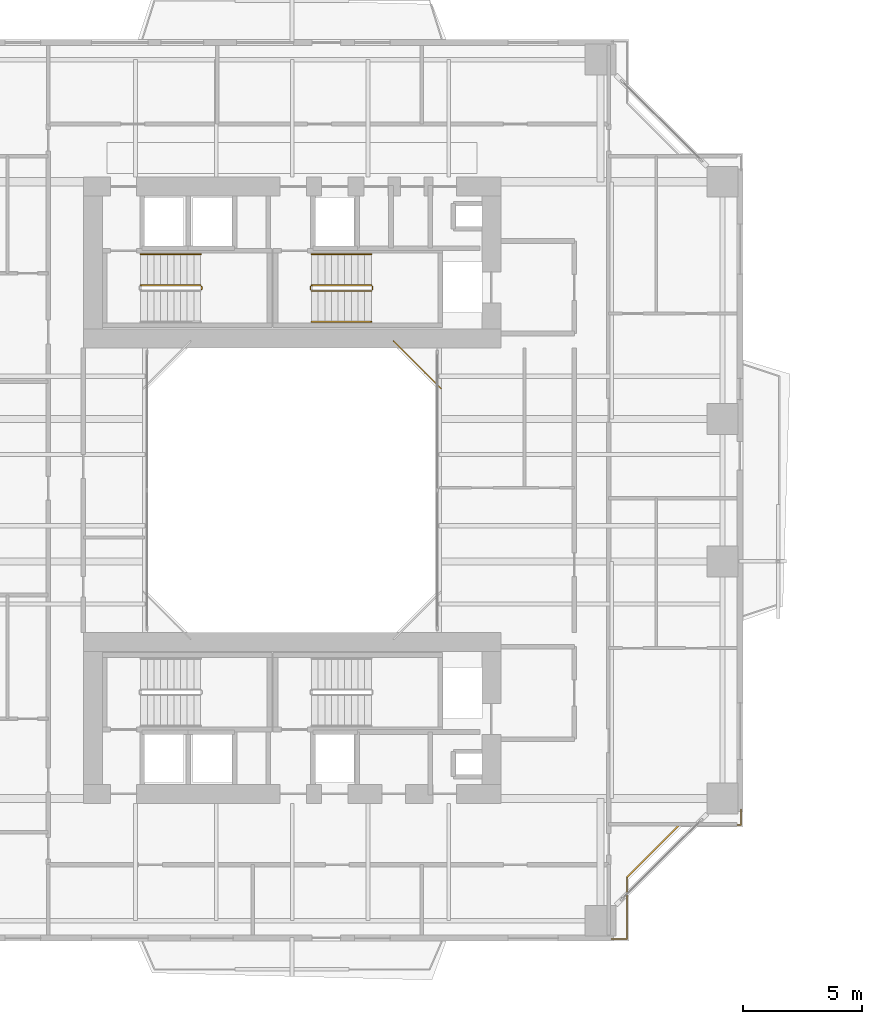
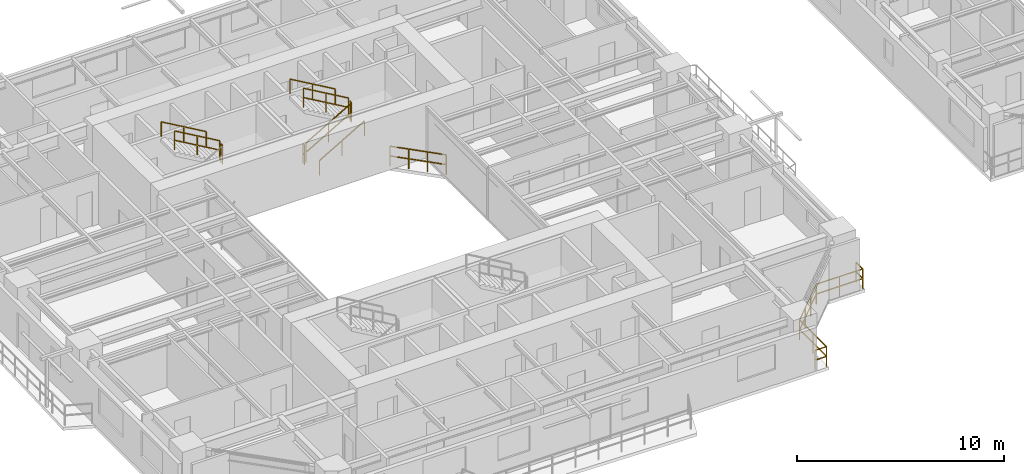
# One storey, part 20 of 23: 11 railings.
"""IFC4 building model written with IfcOpenShell, lengths in metres."""

from ifc_helpers import new_model, si_unit, direction, frame, origin, origin_2d, place, context, subcontext, project, spatial, rectangle, extrude, material, type_object, element, save


model = new_model("IFC4")

# Units and contexts
model_context = context("Model", 3, precision=1e-05, world=origin(), true_north=direction((0.0, 1.0)))
body_context = subcontext(model_context, "Body", "Model", "MODEL_VIEW")
ifc_project = project(units=[si_unit("LENGTHUNIT", "METRE"), si_unit("AREAUNIT", "SQUARE_METRE"), si_unit("VOLUMEUNIT", "CUBIC_METRE"), si_unit("PLANEANGLEUNIT", "RADIAN"), si_unit("MASSUNIT", "GRAM", prefix="KILO"), si_unit("THERMODYNAMICTEMPERATUREUNIT", "KELVIN"), si_unit("POWERUNIT", "WATT")], contexts=[model_context])

# Site, building, storey
site_placement = place(None, origin())
site = spatial("IfcSite", under=ifc_project, at=site_placement, CompositionType="ELEMENT")
building_placement = place(site_placement, origin())
building = spatial("IfcBuilding", under=site, at=building_placement, Name="Qiaomeng Ring Towers", CompositionType="ELEMENT")
storey_placement = place(building_placement, frame((0.0, 0.0, 89.25)))
storey = spatial("IfcBuildingStorey", under=building, at=storey_placement, Name="L25", CompositionType="ELEMENT", Elevation=89.25)

# Railings
ifc_material_1 = material(Name="Low-E pale-green laminated safety glass", Category="glass")
railing_type_1 = type_object("IfcRailingType", Name="ARC-RL-BAL1", PredefinedType="BALUSTRADE", material=ifc_material_1)
railing_1_placement = place(storey_placement, frame((25.280029296875, 27.280029296875, 0.0)))
element("IfcRailing", 1, at=railing_1_placement, inside=storey, type_object=railing_type_1, Name="L25 Balustrade ARC-BAL-WELL1-L25-2", PredefinedType="BALUSTRADE", context=body_context, shape_type="SweptSolid", body=[
    extrude(rectangle(XDim=0.048095703125, YDim=0.048095703125, at=origin_2d()), frame((0.0, 0.0, 1.17578125), z_axis=(-0.707106781187, 0.707106781187, 0.0), x_axis=(-0.707106781187, -0.707106781187, 0.0)), (0.0, 0.0, 1.0), 2.828369140625),
    extrude(rectangle(XDim=0.048095703125, YDim=0.048095703125, at=origin_2d()), frame((0.0, 0.0, 0.60009765625), z_axis=(-0.707106781187, 0.707106781187, 0.0), x_axis=(-0.707106781187, -0.707106781187, 0.0)), (0.0, 0.0, 1.0), 2.828369140625),
    extrude(rectangle(XDim=0.0419921875, YDim=0.0419921875, at=origin_2d()), origin(), (0.0, 0.0, 1.0), 1.15185546875),
    extrude(rectangle(XDim=0.0419921875, YDim=0.0419921875, at=origin_2d()), frame((-0.666748046875, 0.666748046875, 0.0)), (0.0, 0.0, 1.0), 1.15185546875),
    extrude(rectangle(XDim=0.0419921875, YDim=0.0419921875, at=origin_2d()), frame((-1.333251953125, 1.333251953125, 0.0)), (0.0, 0.0, 1.0), 1.15185546875),
    extrude(rectangle(XDim=0.0419921875, YDim=0.0419921875, at=origin_2d()), frame((-2.0, 2.0, 0.0)), (0.0, 0.0, 1.0), 1.15185546875),
])
railing_2_placement = place(storey_placement, frame((32.469970703125, 4.080078125, 0.0)))
element("IfcRailing", 2, at=railing_2_placement, inside=storey, type_object=railing_type_1, Name="L25 Balustrade ARC-BAL-NOTCH1-L25-SE", PredefinedType="BALUSTRADE", context=body_context, shape_type="SweptSolid", body=[
    extrude(rectangle(XDim=0.048095703125, YDim=0.048095703125, at=origin_2d()), frame((0.0, 0.0, 1.17578125), z_axis=(1.0, 0.0, 0.0), x_axis=(0.0, 1.0, 0.0)), (0.0, 0.0, 1.0), 0.650146484375),
    extrude(rectangle(XDim=0.048095703125, YDim=0.048095703125, at=origin_2d()), frame((0.0, 0.0, 0.60009765625), z_axis=(1.0, 0.0, 0.0), x_axis=(0.0, 1.0, 0.0)), (0.0, 0.0, 1.0), 0.650146484375),
    extrude(rectangle(XDim=0.048095703125, YDim=0.048095703125, at=origin_2d()), frame((0.650146484375, 0.0, 1.17578125), z_axis=(0.0, 1.0, 0.0), x_axis=(-1.0, 0.0, 0.0)), (0.0, 0.0, 1.0), 2.599853515625),
    extrude(rectangle(XDim=0.048095703125, YDim=0.048095703125, at=origin_2d()), frame((0.650146484375, 0.0, 0.60009765625), z_axis=(0.0, 1.0, 0.0), x_axis=(-1.0, 0.0, 0.0)), (0.0, 0.0, 1.0), 2.599853515625),
    extrude(rectangle(XDim=0.048095703125, YDim=0.048095703125, at=origin_2d()), frame((0.650146484375, 2.599853515625, 1.17578125), z_axis=(0.707106781187, 0.707106781187, 0.0), x_axis=(-0.707106781187, 0.707106781187, 0.0)), (0.0, 0.0, 1.0), 3.111083984375),
    extrude(rectangle(XDim=0.048095703125, YDim=0.048095703125, at=origin_2d()), frame((0.650146484375, 2.599853515625, 0.60009765625), z_axis=(0.707106781187, 0.707106781187, 0.0), x_axis=(-0.707106781187, 0.707106781187, 0.0)), (0.0, 0.0, 1.0), 3.111083984375),
    extrude(rectangle(XDim=0.048095703125, YDim=0.048095703125, at=origin_2d()), frame((2.85009765625, 4.7998046875, 1.17578125), z_axis=(1.0, 0.0, 0.0), x_axis=(0.0, 1.0, 0.0)), (0.0, 0.0, 1.0), 2.599853515625),
    extrude(rectangle(XDim=0.048095703125, YDim=0.048095703125, at=origin_2d()), frame((2.85009765625, 4.7998046875, 0.60009765625), z_axis=(1.0, 0.0, 0.0), x_axis=(0.0, 1.0, 0.0)), (0.0, 0.0, 1.0), 2.599853515625),
    extrude(rectangle(XDim=0.048095703125, YDim=0.048095703125, at=origin_2d()), frame((5.449951171875, 4.7998046875, 1.17578125), z_axis=(0.0, 1.0, 0.0), x_axis=(-1.0, 0.0, 0.0)), (0.0, 0.0, 1.0), 0.650146484375),
    extrude(rectangle(XDim=0.048095703125, YDim=0.048095703125, at=origin_2d()), frame((5.449951171875, 4.7998046875, 0.60009765625), z_axis=(0.0, 1.0, 0.0), x_axis=(-1.0, 0.0, 0.0)), (0.0, 0.0, 1.0), 0.650146484375),
    extrude(rectangle(XDim=0.0419921875, YDim=0.0419921875, at=origin_2d()), origin(), (0.0, 0.0, 1.0), 1.15185546875),
    extrude(rectangle(XDim=0.0419921875, YDim=0.0419921875, at=origin_2d()), frame((0.650146484375, 0.0, 0.0)), (0.0, 0.0, 1.0), 1.15185546875),
    extrude(rectangle(XDim=0.0419921875, YDim=0.0419921875, at=origin_2d()), frame((0.650146484375, 1.2998046875, 0.0)), (0.0, 0.0, 1.0), 1.15185546875),
    extrude(rectangle(XDim=0.0419921875, YDim=0.0419921875, at=origin_2d()), frame((0.650146484375, 2.599853515625, 0.0)), (0.0, 0.0, 1.0), 1.15185546875),
    extrude(rectangle(XDim=0.0419921875, YDim=0.0419921875, at=origin_2d()), frame((1.383544921875, 3.333251953125, 0.0)), (0.0, 0.0, 1.0), 1.15185546875),
    extrude(rectangle(XDim=0.0419921875, YDim=0.0419921875, at=origin_2d()), frame((2.11669921875, 4.06640625, 0.0)), (0.0, 0.0, 1.0), 1.15185546875),
    extrude(rectangle(XDim=0.0419921875, YDim=0.0419921875, at=origin_2d()), frame((2.85009765625, 4.7998046875, 0.0)), (0.0, 0.0, 1.0), 1.15185546875),
    extrude(rectangle(XDim=0.0419921875, YDim=0.0419921875, at=origin_2d()), frame((4.14990234375, 4.7998046875, 0.0)), (0.0, 0.0, 1.0), 1.15185546875),
    extrude(rectangle(XDim=0.0419921875, YDim=0.0419921875, at=origin_2d()), frame((5.449951171875, 4.7998046875, 0.0)), (0.0, 0.0, 1.0), 1.15185546875),
    extrude(rectangle(XDim=0.0419921875, YDim=0.0419921875, at=origin_2d()), frame((5.449951171875, 5.449951171875, 0.0)), (0.0, 0.0, 1.0), 1.15185546875),
])
ifc_material_2 = material(Name="Galvanised steel", Category="steel")
railing_type_2 = type_object("IfcRailingType", Name="ARC-RL-GUARD", PredefinedType="GUARDRAIL", material=ifc_material_2)
railing_3_placement = place(storey_placement, frame((15.18994140625, 31.449951171875, 1.625)))
element("IfcRailing", 3, at=railing_3_placement, inside=storey, type_object=railing_type_2, Name="L25 ST1 stair guard 2", PredefinedType="GUARDRAIL", context=body_context, shape_type="SweptSolid", body=[
    extrude(rectangle(XDim=0.048095703125, YDim=0.048095703125, at=origin_2d()), frame((0.0, 0.0, 1.1259765625), z_axis=(0.0, 1.0, 0.0), x_axis=(-1.0, 0.0, 0.0)), (0.0, 0.0, 1.0), 0.14013671875),
    extrude(rectangle(XDim=0.048095703125, YDim=0.048095703125, at=origin_2d()), frame((0.0, 0.0, 0.574951171875), z_axis=(0.0, 1.0, 0.0), x_axis=(-1.0, 0.0, 0.0)), (0.0, 0.0, 1.0), 0.14013671875),
    extrude(rectangle(XDim=0.0419921875, YDim=0.0419921875, at=origin_2d()), origin(), (0.0, 0.0, 1.0), 1.101806640625),
    extrude(rectangle(XDim=0.0419921875, YDim=0.0419921875, at=origin_2d()), frame((0.0, 0.14013671875, 0.0)), (0.0, 0.0, 1.0), 1.101806640625),
])
railing_4_placement = place(storey_placement, frame((15.139892578125, 31.639892578125, 1.78759765625)))
element("IfcRailing", 4, at=railing_4_placement, inside=storey, type_object=railing_type_2, Name="L25 ST1 stair guard 3", PredefinedType="GUARDRAIL", context=body_context, shape_type="SweptSolid", body=[
    extrude(rectangle(XDim=0.048095703125, YDim=0.048095703125, at=origin_2d()), frame((0.0, 0.0, 1.1259765625), z_axis=(-0.864892226395, 0.0, 0.501957604506), x_axis=(0.0, -1.0, 0.0)), (0.0, 0.0, 1.0), 2.913330078125),
    extrude(rectangle(XDim=0.048095703125, YDim=0.048095703125, at=origin_2d()), frame((0.0, 0.0, 0.574951171875), z_axis=(-0.864892226395, 0.0, 0.501957604506), x_axis=(0.0, -1.0, 0.0)), (0.0, 0.0, 1.0), 2.913330078125),
    extrude(rectangle(XDim=0.0419921875, YDim=0.0419921875, at=origin_2d()), origin(), (0.0, 0.0, 1.0), 1.101806640625),
    extrude(rectangle(XDim=0.0419921875, YDim=0.0419921875, at=origin_2d()), frame((-1.259765625, 0.0, 0.731201171875)), (0.0, 0.0, 1.0), 1.101806640625),
    extrude(rectangle(XDim=0.0419921875, YDim=0.0419921875, at=origin_2d()), frame((-2.519775390625, 0.0, 1.46240234375)), (0.0, 0.0, 1.0), 1.101806640625),
])
railing_5_placement = place(storey_placement, frame((19.820068359375, 31.39990234375, 0.16259765625)))
element("IfcRailing", 5, at=railing_5_placement, inside=storey, type_object=railing_type_2, Name="L25 ST2 stair guard 1", PredefinedType="GUARDRAIL", context=body_context, shape_type="SweptSolid", body=[
    extrude(rectangle(XDim=0.048095703125, YDim=0.048095703125, at=origin_2d()), frame((0.0, 0.0, 1.1259765625), z_axis=(0.864913338283, 0.0, 0.50192122615), x_axis=(0.0, 1.0, 0.0)), (0.0, 0.0, 1.0), 2.91357421875),
    extrude(rectangle(XDim=0.048095703125, YDim=0.048095703125, at=origin_2d()), frame((0.0, 0.0, 0.574951171875), z_axis=(0.864913338283, 0.0, 0.50192122615), x_axis=(0.0, 1.0, 0.0)), (0.0, 0.0, 1.0), 2.91357421875),
    extrude(rectangle(XDim=0.0419921875, YDim=0.0419921875, at=origin_2d()), origin(), (0.0, 0.0, 1.0), 1.101806640625),
    extrude(rectangle(XDim=0.0419921875, YDim=0.0419921875, at=origin_2d()), frame((1.260009765625, 0.0, 0.731201171875)), (0.0, 0.0, 1.0), 1.101806640625),
    extrude(rectangle(XDim=0.0419921875, YDim=0.0419921875, at=origin_2d()), frame((2.52001953125, 0.0, 1.46240234375)), (0.0, 0.0, 1.0), 1.101806640625),
])
railing_6_placement = place(storey_placement, frame((22.389892578125, 31.449951171875, 1.625)))
element("IfcRailing", 6, at=railing_6_placement, inside=storey, type_object=railing_type_2, Name="L25 ST2 stair guard 2", PredefinedType="GUARDRAIL", context=body_context, shape_type="SweptSolid", body=[
    extrude(rectangle(XDim=0.048095703125, YDim=0.048095703125, at=origin_2d()), frame((0.0, 0.0, 1.1259765625), z_axis=(0.0, 1.0, 0.0), x_axis=(-1.0, 0.0, 0.0)), (0.0, 0.0, 1.0), 0.14013671875),
    extrude(rectangle(XDim=0.048095703125, YDim=0.048095703125, at=origin_2d()), frame((0.0, 0.0, 0.574951171875), z_axis=(0.0, 1.0, 0.0), x_axis=(-1.0, 0.0, 0.0)), (0.0, 0.0, 1.0), 0.14013671875),
    extrude(rectangle(XDim=0.0419921875, YDim=0.0419921875, at=origin_2d()), origin(), (0.0, 0.0, 1.0), 1.101806640625),
    extrude(rectangle(XDim=0.0419921875, YDim=0.0419921875, at=origin_2d()), frame((0.0, 0.14013671875, 0.0)), (0.0, 0.0, 1.0), 1.101806640625),
])
railing_7_placement = place(storey_placement, frame((22.340087890625, 31.639892578125, 1.78759765625)))
element("IfcRailing", 7, at=railing_7_placement, inside=storey, type_object=railing_type_2, Name="L25 ST2 stair guard 3", PredefinedType="GUARDRAIL", context=body_context, shape_type="SweptSolid", body=[
    extrude(rectangle(XDim=0.048095703125, YDim=0.048095703125, at=origin_2d()), frame((0.0, 0.0, 1.1259765625), z_axis=(-0.864913338283, 0.0, 0.50192122615), x_axis=(0.0, -1.0, 0.0)), (0.0, 0.0, 1.0), 2.91357421875),
    extrude(rectangle(XDim=0.048095703125, YDim=0.048095703125, at=origin_2d()), frame((0.0, 0.0, 0.574951171875), z_axis=(-0.864913338283, 0.0, 0.50192122615), x_axis=(0.0, -1.0, 0.0)), (0.0, 0.0, 1.0), 2.91357421875),
    extrude(rectangle(XDim=0.0419921875, YDim=0.0419921875, at=origin_2d()), origin(), (0.0, 0.0, 1.0), 1.101806640625),
    extrude(rectangle(XDim=0.0419921875, YDim=0.0419921875, at=origin_2d()), frame((-1.260009765625, 0.0, 0.731201171875)), (0.0, 0.0, 1.0), 1.101806640625),
    extrude(rectangle(XDim=0.0419921875, YDim=0.0419921875, at=origin_2d()), frame((-2.52001953125, 0.0, 1.46240234375)), (0.0, 0.0, 1.0), 1.101806640625),
])
railing_8_placement = place(storey_placement, frame((19.77001953125, 31.449951171875, 0.0)))
element("IfcRailing", 8, at=railing_8_placement, inside=storey, type_object=railing_type_2, Name="L25 ST2 stair guard 4", PredefinedType="GUARDRAIL", context=body_context, shape_type="SweptSolid", body=[
    extrude(rectangle(XDim=0.048095703125, YDim=0.048095703125, at=origin_2d()), frame((0.0, 0.0, 1.1259765625), z_axis=(0.0, 1.0, 0.0), x_axis=(-1.0, 0.0, 0.0)), (0.0, 0.0, 1.0), 0.14013671875),
    extrude(rectangle(XDim=0.048095703125, YDim=0.048095703125, at=origin_2d()), frame((0.0, 0.0, 0.574951171875), z_axis=(0.0, 1.0, 0.0), x_axis=(-1.0, 0.0, 0.0)), (0.0, 0.0, 1.0), 0.14013671875),
    extrude(rectangle(XDim=0.0419921875, YDim=0.0419921875, at=origin_2d()), origin(), (0.0, 0.0, 1.0), 1.101806640625),
    extrude(rectangle(XDim=0.0419921875, YDim=0.0419921875, at=origin_2d()), frame((0.0, 0.14013671875, 0.0)), (0.0, 0.0, 1.0), 1.101806640625),
])
ifc_material_3 = material(Name="Stainless steel 316", Category="steel")
railing_type_3 = type_object("IfcRailingType", Name="ARC-RL-HAND", PredefinedType="HANDRAIL", material=ifc_material_3)
railing_9_placement = place(storey_placement, frame((15.139892578125, 32.93994140625, 1.78759765625)))
element("IfcRailing", 9, at=railing_9_placement, inside=storey, type_object=railing_type_3, Name="L25 ST1 stair handrail 2", PredefinedType="HANDRAIL", context=body_context, shape_type="SweptSolid", body=[
    extrude(rectangle(XDim=0.048095703125, YDim=0.048095703125, at=origin_2d()), frame((0.0, 0.0, 0.8759765625), z_axis=(-0.864892226395, 0.0, 0.501957604506), x_axis=(0.0, -1.0, 0.0)), (0.0, 0.0, 1.0), 2.913330078125),
    extrude(rectangle(XDim=0.0419921875, YDim=0.0419921875, at=origin_2d()), origin(), (0.0, 0.0, 1.0), 0.851806640625),
    extrude(rectangle(XDim=0.0419921875, YDim=0.0419921875, at=origin_2d()), frame((-1.259765625, 0.0, 0.731201171875)), (0.0, 0.0, 1.0), 0.851806640625),
    extrude(rectangle(XDim=0.0419921875, YDim=0.0419921875, at=origin_2d()), frame((-2.519775390625, 0.0, 1.46240234375)), (0.0, 0.0, 1.0), 0.851806640625),
])
railing_10_placement = place(storey_placement, frame((19.820068359375, 30.10009765625, 0.16259765625)))
element("IfcRailing", 10, at=railing_10_placement, inside=storey, type_object=railing_type_3, Name="L25 ST2 stair handrail 1", PredefinedType="HANDRAIL", context=body_context, shape_type="SweptSolid", body=[
    extrude(rectangle(XDim=0.048095703125, YDim=0.048095703125, at=origin_2d()), frame((0.0, 0.0, 0.8759765625), z_axis=(0.864913338283, 0.0, 0.50192122615), x_axis=(0.0, 1.0, 0.0)), (0.0, 0.0, 1.0), 2.91357421875),
    extrude(rectangle(XDim=0.0419921875, YDim=0.0419921875, at=origin_2d()), origin(), (0.0, 0.0, 1.0), 0.851806640625),
    extrude(rectangle(XDim=0.0419921875, YDim=0.0419921875, at=origin_2d()), frame((1.260009765625, 0.0, 0.731201171875)), (0.0, 0.0, 1.0), 0.851806640625),
    extrude(rectangle(XDim=0.0419921875, YDim=0.0419921875, at=origin_2d()), frame((2.52001953125, 0.0, 1.46240234375)), (0.0, 0.0, 1.0), 0.851806640625),
])
railing_11_placement = place(storey_placement, frame((22.340087890625, 32.93994140625, 1.78759765625)))
element("IfcRailing", 11, at=railing_11_placement, inside=storey, type_object=railing_type_3, Name="L25 ST2 stair handrail 2", PredefinedType="HANDRAIL", context=body_context, shape_type="SweptSolid", body=[
    extrude(rectangle(XDim=0.048095703125, YDim=0.048095703125, at=origin_2d()), frame((0.0, 0.0, 0.8759765625), z_axis=(-0.864913338283, 0.0, 0.50192122615), x_axis=(0.0, -1.0, 0.0)), (0.0, 0.0, 1.0), 2.91357421875),
    extrude(rectangle(XDim=0.0419921875, YDim=0.0419921875, at=origin_2d()), origin(), (0.0, 0.0, 1.0), 0.851806640625),
    extrude(rectangle(XDim=0.0419921875, YDim=0.0419921875, at=origin_2d()), frame((-1.260009765625, 0.0, 0.731201171875)), (0.0, 0.0, 1.0), 0.851806640625),
    extrude(rectangle(XDim=0.0419921875, YDim=0.0419921875, at=origin_2d()), frame((-2.52001953125, 0.0, 1.46240234375)), (0.0, 0.0, 1.0), 0.851806640625),
])

save(model, "model.ifc")
